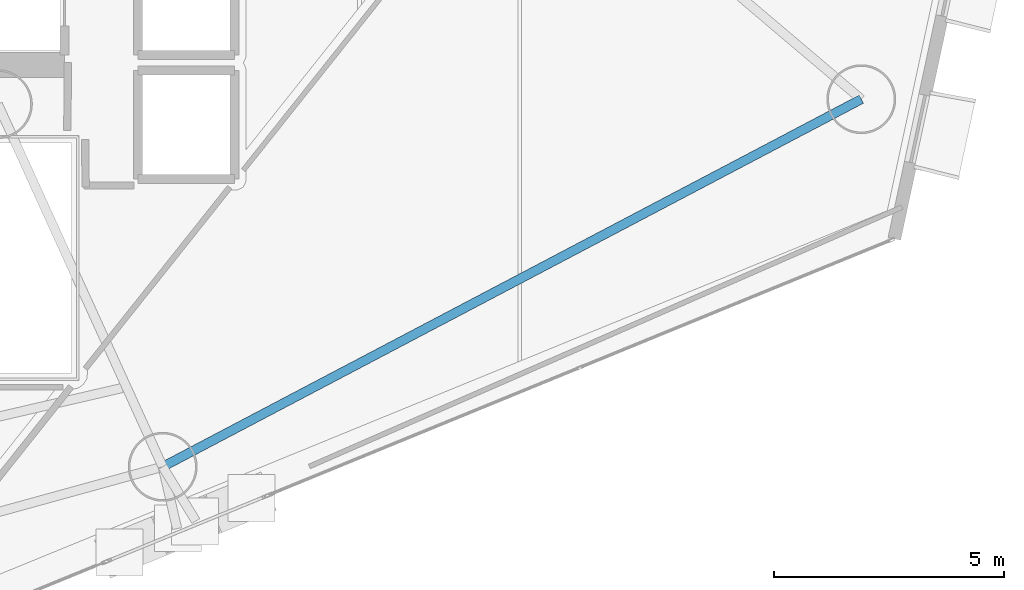
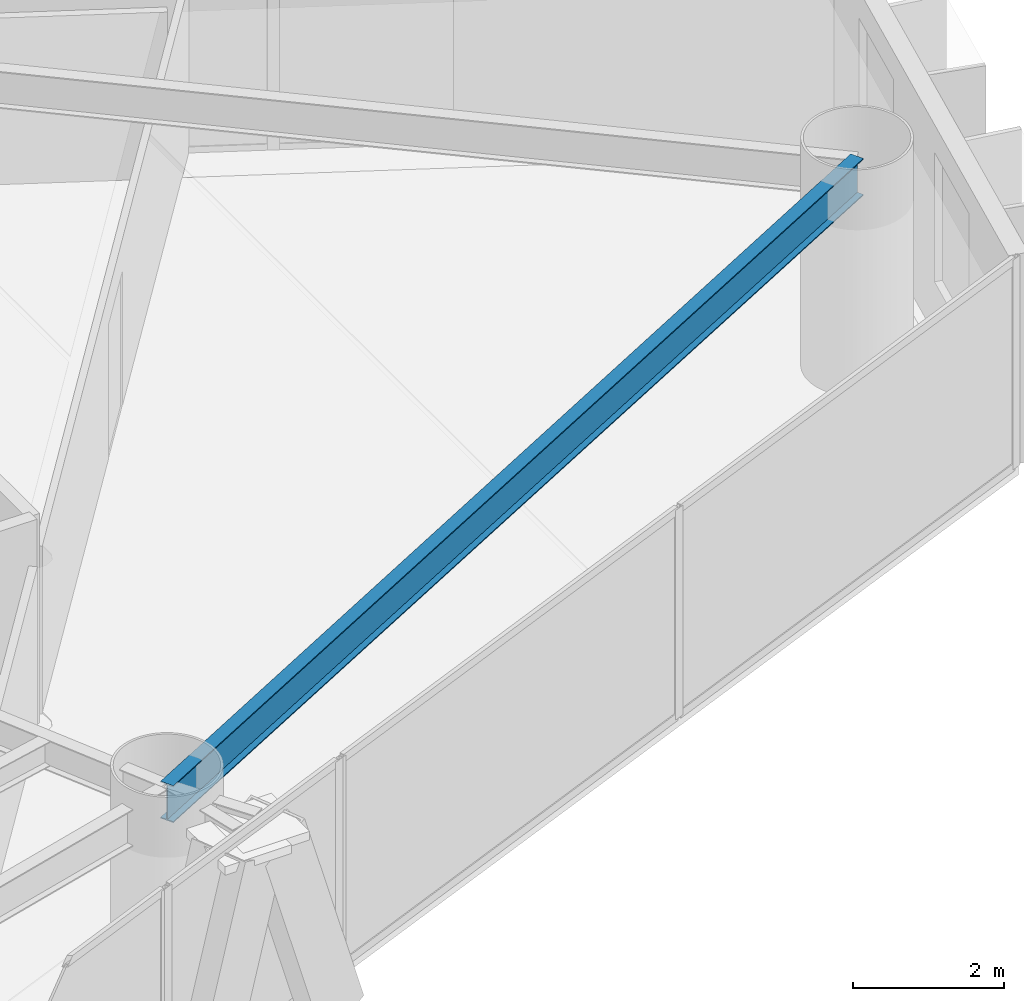
# One storey, part 6 of 22: 1 beam.
"""IFC4 building model written with IfcOpenShell, lengths in metres."""

from ifc_helpers import new_model, si_unit, direction, frame, origin, origin_2d, place, context, subcontext, project, spatial, i_section, extrude, material, material_profile, profile_set, type_object, element, save


model = new_model("IFC4")

# Units and contexts
model_context = context("Model", 3, precision=1e-05, world=origin(), true_north=direction((0.0, 1.0)))
body_context = subcontext(model_context, "Body", "Model", "MODEL_VIEW")
ifc_project = project(units=[si_unit("LENGTHUNIT", "METRE"), si_unit("AREAUNIT", "SQUARE_METRE"), si_unit("VOLUMEUNIT", "CUBIC_METRE"), si_unit("PLANEANGLEUNIT", "RADIAN"), si_unit("MASSUNIT", "GRAM", prefix="KILO")], contexts=[model_context])

# Site, building, storey
site_placement = place(None, origin())
site = spatial("IfcSite", under=ifc_project, at=site_placement, CompositionType="ELEMENT")
building_placement = place(site_placement, origin())
building = spatial("IfcBuilding", under=site, at=building_placement, Name="Qianvela Tower", CompositionType="ELEMENT")
storey_placement = place(building_placement, frame((0.0, 0.0, 134.800048828125)))
storey = spatial("IfcBuildingStorey", under=building, at=storey_placement, Name="L34", CompositionType="ELEMENT", Elevation=134.800048828125)

# Beam
ifc_material = material(Name="Steel Q355B", Category="steel")
ifc_material_profile = material_profile(ifc_material, i_section(OverallWidth=0.199951171875, OverallDepth=0.60009765625, WebThickness=0.010986328125, FlangeThickness=0.01708984375, at=origin_2d()), Name="HN600x200x11x17")
ifc_profile_set = profile_set([ifc_material_profile], Name="Steel Q355B")
beam_type = type_object("IfcBeamType", Name="BM-HN600-GIRD", PredefinedType="BEAM", material=ifc_profile_set)
beam_placement = place(storey_placement, frame((41.988037109375, 15.95703125, 3.097900390625), z_axis=(0.884971229381, 0.465645705627, 0.0), x_axis=(-0.465645705627, 0.884971229381, 0.0)))
element("IfcBeam", 1, at=beam_placement, inside=storey, type_object=beam_type, Name="L34 Perimeter Ring Spandrel Girder 6", PredefinedType="BEAM", context=body_context, shape_type="SweptSolid", body=[
    extrude(i_section(OverallWidth=0.199951171875, OverallDepth=0.60009765625, WebThickness=0.010986328125, FlangeThickness=0.01708984375, at=origin_2d()), origin(), (0.0, 0.0, 1.0), 17.1826171875),
])

save(model, "model.ifc")
